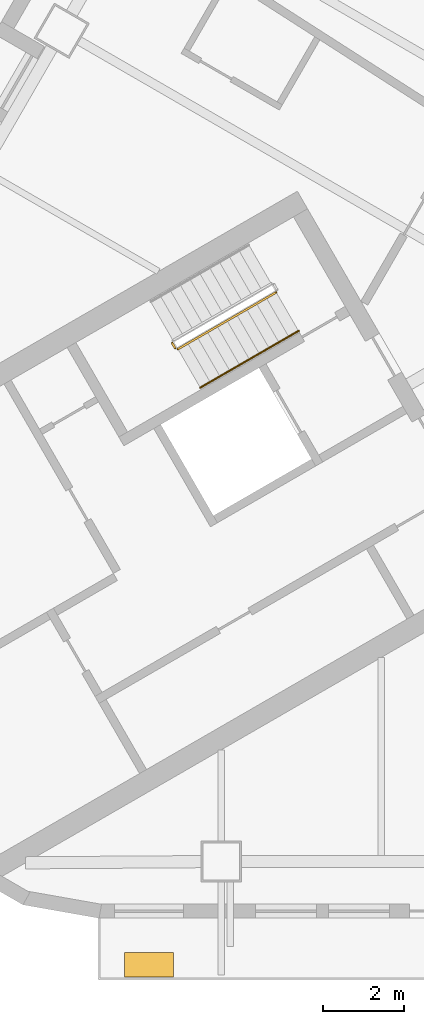
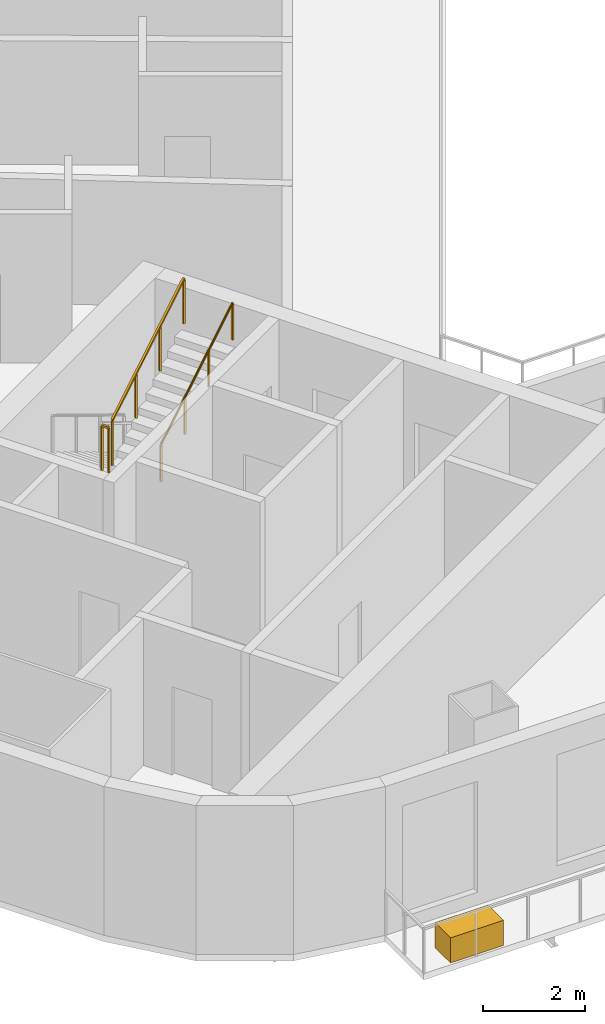
# One storey, part 8 of 13: 3 railings, 1 covering.
"""IFC4 building model written with IfcOpenShell, lengths in metres."""

from ifc_helpers import new_model, si_unit, direction, frame, origin, origin_2d, place, context, subcontext, project, spatial, rectangle, circle, extrude, material, type_object, element, save


model = new_model("IFC4")

# Units and contexts
model_context = context("Model", 3, precision=1e-05, world=origin(), true_north=direction((0.0, 1.0)))
body_context = subcontext(model_context, "Body", "Model", "MODEL_VIEW")
ifc_project = project(units=[si_unit("LENGTHUNIT", "METRE"), si_unit("AREAUNIT", "SQUARE_METRE"), si_unit("VOLUMEUNIT", "CUBIC_METRE"), si_unit("PLANEANGLEUNIT", "RADIAN"), si_unit("MASSUNIT", "GRAM", prefix="KILO")], contexts=[model_context])

# Site, building, storey
site_placement = place(None, origin())
site = spatial("IfcSite", under=ifc_project, at=site_placement, CompositionType="ELEMENT")
building_placement = place(site_placement, origin())
building = spatial("IfcBuilding", under=site, at=building_placement, Name="Apuvela Tower Hotel", CompositionType="ELEMENT")
storey_placement = place(building_placement, frame((0.0, 0.0, 57.60009765625)))
storey = spatial("IfcBuildingStorey", under=building, at=storey_placement, Name="L11", CompositionType="ELEMENT", Elevation=57.60009765625)

# Railings
ifc_material_1 = material(Name="Steel S275 balustrade", Category="steel")
railing_type_1 = type_object("IfcRailingType", Name="COR-GUARD-1100", PredefinedType="GUARDRAIL", material=ifc_material_1)
railing_1_placement = place(storey_placement, frame((-17.01220703125, -5.43408203125, 1.849853515625)))
element("IfcRailing", 1, at=railing_1_placement, inside=storey, type_object=railing_type_1, Name="L11 ST2 stair guard 2", PredefinedType="GUARDRAIL", context=body_context, shape_type="SweptSolid", body=[
    extrude(rectangle(XDim=0.048095703125, YDim=0.048095703125, at=origin_2d()), frame((0.0, 0.0, 1.076171875), z_axis=(0.499816412211, -0.866131372301, 0.0), x_axis=(0.866131372301, 0.499816412211, 0.0)), (0.0, 0.0, 1.0), 0.14990234375),
    extrude(rectangle(XDim=0.0419921875, YDim=0.0419921875, at=origin_2d()), origin(), (0.0, 0.0, 1.0), 1.052001953125),
    extrude(rectangle(XDim=0.0419921875, YDim=0.0419921875, at=origin_2d()), frame((0.074951171875, -0.1298828125, 0.0)), (0.0, 0.0, 1.0), 1.052001953125),
])
railing_2_placement = place(storey_placement, frame((-16.868896484375, -5.582275390625, 2.01806640625)))
element("IfcRailing", 2, at=railing_2_placement, inside=storey, type_object=railing_type_1, Name="L11 ST2 stair guard 3", PredefinedType="GUARDRAIL", context=body_context, shape_type="SweptSolid", body=[
    extrude(rectangle(XDim=0.048095703125, YDim=0.048095703125, at=origin_2d()), frame((0.0, 0.0, 1.076171875), z_axis=(0.742390482028, 0.42860119049, 0.514934356695), x_axis=(-0.49998411664, 0.866034573852, 0.0)), (0.0, 0.0, 1.0), 3.26611328125),
    extrude(rectangle(XDim=0.0419921875, YDim=0.0419921875, at=origin_2d()), origin(), (0.0, 0.0, 1.0), 1.052001953125),
    extrude(rectangle(XDim=0.0419921875, YDim=0.0419921875, at=origin_2d()), frame((0.808349609375, 0.466552734375, 0.560546875)), (0.0, 0.0, 1.0), 1.052001953125),
    extrude(rectangle(XDim=0.0419921875, YDim=0.0419921875, at=origin_2d()), frame((1.616455078125, 0.933349609375, 1.121337890625)), (0.0, 0.0, 1.0), 1.052001953125),
    extrude(rectangle(XDim=0.0419921875, YDim=0.0419921875, at=origin_2d()), frame((2.4248046875, 1.39990234375, 1.681884765625)), (0.0, 0.0, 1.0), 1.052001953125),
])
ifc_material_2 = material(Name="Stainless steel 316 handrail", Category="steel")
railing_type_2 = type_object("IfcRailingType", Name="COR-HANDRAIL-900", PredefinedType="HANDRAIL", material=ifc_material_2)
railing_3_placement = place(storey_placement, frame((-16.31884765625, -6.534912109375, 2.01806640625)))
element("IfcRailing", 3, at=railing_3_placement, inside=storey, type_object=railing_type_2, Name="L11 ST2 stair handrail 2", PredefinedType="HANDRAIL", context=body_context, shape_type="SweptSolid", body=[
    extrude(circle(Radius=0.02392578125, at=origin_2d()), frame((0.0, 0.0, 0.8759765625), z_axis=(0.742390482028, 0.42860119049, 0.514934356695), x_axis=(-0.49998411664, 0.866034573852, 0.0)), (0.0, 0.0, 1.0), 3.26611328125),
    extrude(rectangle(XDim=0.0419921875, YDim=0.0419921875, at=origin_2d()), origin(), (0.0, 0.0, 1.0), 0.851806640625),
    extrude(rectangle(XDim=0.0419921875, YDim=0.0419921875, at=origin_2d()), frame((0.808349609375, 0.466552734375, 0.560546875)), (0.0, 0.0, 1.0), 0.851806640625),
    extrude(rectangle(XDim=0.0419921875, YDim=0.0419921875, at=origin_2d()), frame((1.616455078125, 0.933349609375, 1.121337890625)), (0.0, 0.0, 1.0), 0.851806640625),
    extrude(rectangle(XDim=0.0419921875, YDim=0.0419921875, at=origin_2d()), frame((2.4248046875, 1.39990234375, 1.681884765625)), (0.0, 0.0, 1.0), 0.851806640625),
])

# Covering
ifc_material_3 = material(Name="Planting substrate and soil, planted")
covering_type = type_object("IfcCoveringType", Name="ENV-PLANTER-1200x600", PredefinedType="USERDEFINED", material=ifc_material_3)
covering_placement = place(storey_placement, frame((-17.585205078125, -20.780029296875, -0.000244140625), z_axis=(0.0, 0.0, 1.0), x_axis=(1.0, 0.0, 0.0)))
element("IfcCovering", 4, at=covering_placement, inside=storey, type_object=covering_type, Name="Planter S1", ObjectType="PLANTER", PredefinedType="USERDEFINED", context=body_context, shape_type="SweptSolid", body=[
    extrude(rectangle(XDim=1.199951171875, YDim=0.60009765625, at=origin_2d()), origin(), (0.0, 0.0, 1.0), 0.60009765625),
])

save(model, "model.ifc")
